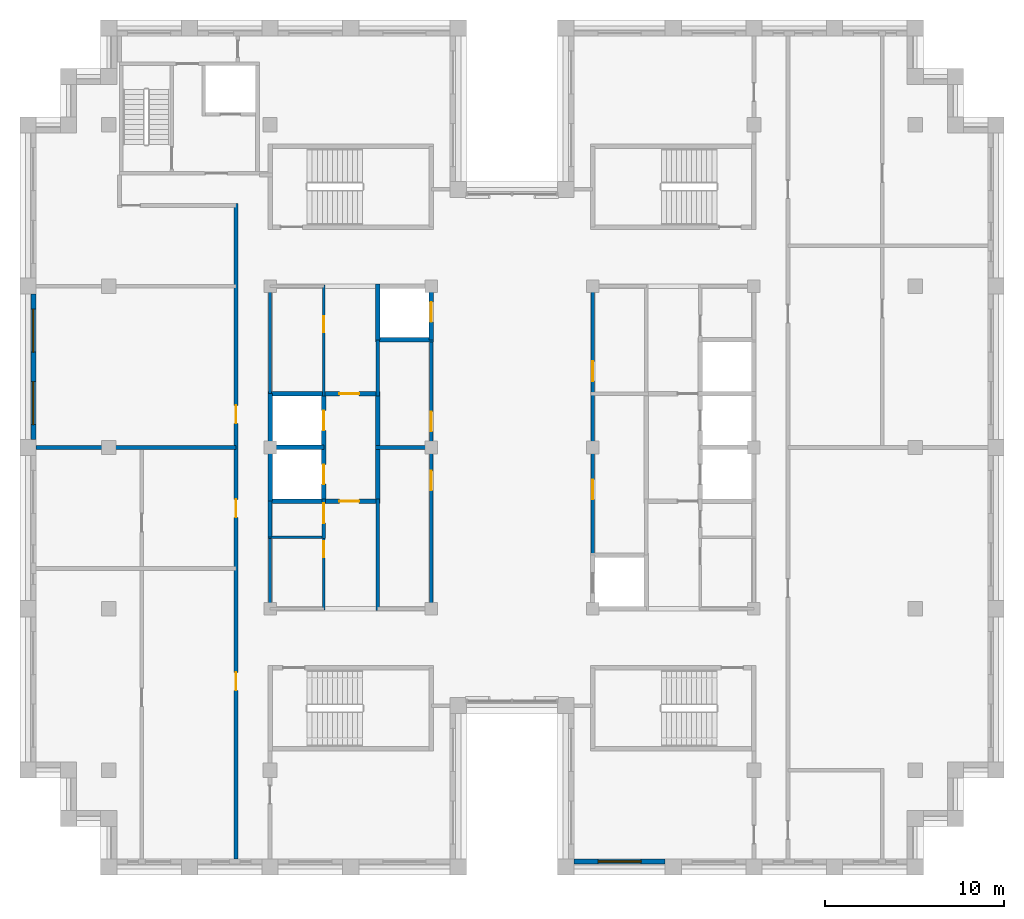
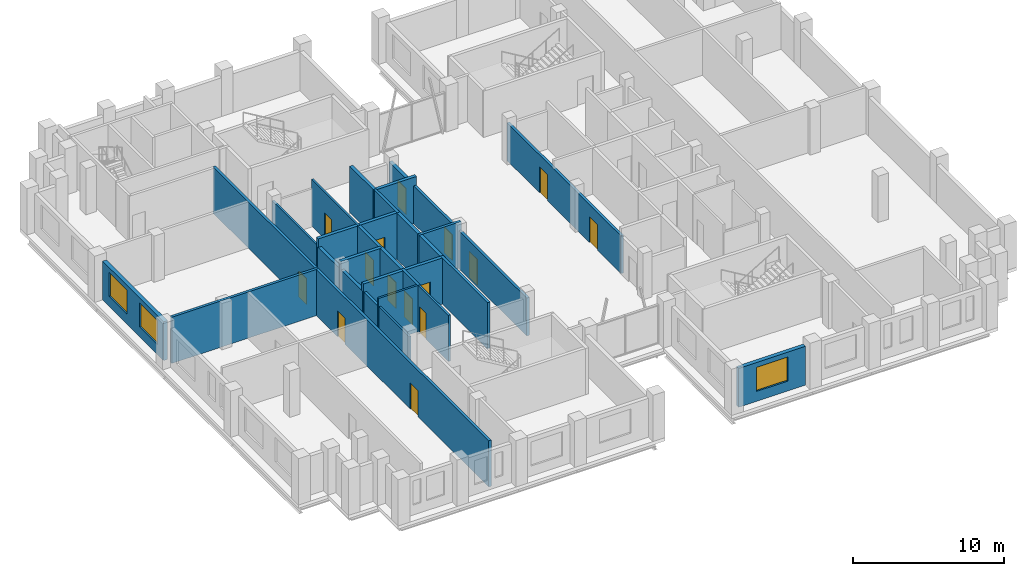
# One storey, part 7 of 13: 25 walls, 15 doors, 3 windows, 18 openings.
"""IFC4 building model written with IfcOpenShell, lengths in metres."""

from ifc_helpers import new_model, si_unit, direction, frame, frame_2d, origin, place, context, subcontext, project, spatial, rectangle, extrude, material, layer, layer_set, type_object, element, fill, save


model = new_model("IFC4")

# Units and contexts
model_context = context("Model", 3, precision=1e-05, world=origin(), true_north=direction((0.0, 1.0)))
body_context = subcontext(model_context, "Body", "Model", "MODEL_VIEW")
ifc_project = project(units=[si_unit("LENGTHUNIT", "METRE"), si_unit("AREAUNIT", "SQUARE_METRE"), si_unit("VOLUMEUNIT", "CUBIC_METRE"), si_unit("PLANEANGLEUNIT", "RADIAN"), si_unit("MASSUNIT", "GRAM", prefix="KILO")], contexts=[model_context])

# Site, building, storey
site_placement = place(None, origin())
site = spatial("IfcSite", under=ifc_project, at=site_placement, CompositionType="ELEMENT")
building_placement = place(site_placement, origin())
building = spatial("IfcBuilding", under=site, at=building_placement, Name="Corbelhall Arena Tower", CompositionType="ELEMENT")
storey_placement = place(building_placement, frame((0.0, 0.0, 312.0)))
storey = spatial("IfcBuildingStorey", under=building, at=storey_placement, Name="L68", CompositionType="ELEMENT", Elevation=312.0)

# Wall, openings, windows
ifc_material_1 = material(Name="Precast concrete C40/50 with granite facing", Category="masonry")
ifc_layer_1 = layer(ifc_material_1, 0.300048828125)
ifc_layer_set_1 = layer_set([ifc_layer_1], Name="EV-IW1 Infill panel 300")
wall_type_1 = type_object("IfcWallType", Name="EV-IW1 Infill panel 300", PredefinedType="SOLIDWALL", material=ifc_layer_set_1)
wall_1_placement = place(storey_placement, frame((-26.699951171875, 8.550048828125, 0.0), z_axis=(0.0, 0.0, 1.0), x_axis=(0.0, -1.0, 0.0)))
wall_1 = element("IfcWall", 1, at=wall_1_placement, inside=storey, type_object=wall_type_1, Name="Infill panel IW1", PredefinedType="SOLIDWALL", context=body_context, shape_type="SweptSolid", body=[
    extrude(rectangle(XDim=8.10009765625, YDim=0.300048828125, at=frame_2d((4.050048828125, 0.0))), origin(), (0.0, 0.0, 1.0), 3.139892578125),
])
opening_1_placement = place(wall_1_placement, frame((0.824951171875, 0.0, 0.800048828125)))
opening_1 = element("IfcOpeningElement", 2, at=opening_1_placement, cuts=wall_1, Name="Opening WN1", PredefinedType="OPENING", context=body_context, shape_type="SweptSolid", body=[
    extrude(rectangle(XDim=2.39990234375, YDim=1.949951171875, at=frame_2d((1.199951171875, 0.97509765625))), frame((0.0, 0.14990234375, 0.0), z_axis=(0.0, -1.0, 0.0), x_axis=(1.0, 0.0, 0.0)), (0.0, 0.0, 1.0), 0.300048828125),
])
opening_2_placement = place(wall_1_placement, frame((4.875, 0.0, 0.800048828125)))
opening_2 = element("IfcOpeningElement", 3, at=opening_2_placement, cuts=wall_1, Name="Opening WN1", PredefinedType="OPENING", context=body_context, shape_type="SweptSolid", body=[
    extrude(rectangle(XDim=2.39990234375, YDim=1.949951171875, at=frame_2d((1.199951171875, 0.97509765625))), frame((0.0, 0.14990234375, 0.0), z_axis=(0.0, -1.0, 0.0), x_axis=(1.0, 0.0, 0.0)), (0.0, 0.0, 1.0), 0.300048828125),
])
ifc_material_2 = material(Name="Aluminium black anodised", Category="aluminium")
window_type = type_object("IfcWindowType", Name="EV-WN1 Office window", PartitioningType="SINGLE_PANEL", PredefinedType="WINDOW", material=ifc_material_2)
window_1_placement = place(opening_1_placement, origin())
window_1 = element("IfcWindow", 4, at=window_1_placement, inside=storey, type_object=window_type, Name="Window WN1", OverallHeight=1.949951171875, OverallWidth=2.39990234375, PartitioningType="SINGLE_PANEL", PredefinedType="WINDOW", context=body_context, shape_type="SweptSolid", body=[
    extrude(rectangle(XDim=2.39990234375, YDim=1.949951171875, at=frame_2d((1.199951171875, 0.97509765625))), frame((0.0, 0.030029296875, 0.0), z_axis=(0.0, -1.0, 0.0), x_axis=(1.0, 0.0, 0.0)), (0.0, 0.0, 1.0), 0.06005859375),
])
fill(opening_1, window_1)
window_2_placement = place(opening_2_placement, origin())
window_2 = element("IfcWindow", 5, at=window_2_placement, inside=storey, type_object=window_type, Name="Window WN1", OverallHeight=1.949951171875, OverallWidth=2.39990234375, PartitioningType="SINGLE_PANEL", PredefinedType="WINDOW", context=body_context, shape_type="SweptSolid", body=[
    extrude(rectangle(XDim=2.39990234375, YDim=1.949951171875, at=frame_2d((1.199951171875, 0.97509765625))), frame((0.0, 0.030029296875, 0.0), z_axis=(0.0, -1.0, 0.0), x_axis=(1.0, 0.0, 0.0)), (0.0, 0.0, 1.0), 0.06005859375),
])
fill(opening_2, window_2)

# Wall, opening, window
wall_2_placement = place(storey_placement, frame((3.449951171875, -23.10009765625, 0.0), z_axis=(0.0, 0.0, 1.0), x_axis=(1.0, 0.0, 0.0)))
wall_2 = element("IfcWall", 6, at=wall_2_placement, inside=storey, type_object=wall_type_1, Name="Infill panel IW1", PredefinedType="SOLIDWALL", context=body_context, shape_type="SweptSolid", body=[
    extrude(rectangle(XDim=5.10009765625, YDim=0.300048828125, at=frame_2d((2.550048828125, 0.0))), origin(), (0.0, 0.0, 1.0), 3.139892578125),
])
opening_3_placement = place(wall_2_placement, frame((1.35009765625, 0.0, 0.800048828125)))
opening_3 = element("IfcOpeningElement", 7, at=opening_3_placement, cuts=wall_2, Name="Opening WN1", PredefinedType="OPENING", context=body_context, shape_type="SweptSolid", body=[
    extrude(rectangle(XDim=2.39990234375, YDim=1.949951171875, at=frame_2d((1.199951171875, 0.97509765625))), frame((0.0, 0.14990234375, 0.0), z_axis=(0.0, -1.0, 0.0), x_axis=(1.0, 0.0, 0.0)), (0.0, 0.0, 1.0), 0.300048828125),
])
window_3_placement = place(opening_3_placement, origin())
window_3 = element("IfcWindow", 8, at=window_3_placement, inside=storey, type_object=window_type, Name="Window WN1", OverallHeight=1.949951171875, OverallWidth=2.39990234375, PartitioningType="SINGLE_PANEL", PredefinedType="WINDOW", context=body_context, shape_type="SweptSolid", body=[
    extrude(rectangle(XDim=2.39990234375, YDim=1.949951171875, at=frame_2d((1.199951171875, 0.97509765625))), frame((0.0, 0.030029296875, 0.0), z_axis=(0.0, -1.0, 0.0), x_axis=(1.0, 0.0, 0.0)), (0.0, 0.0, 1.0), 0.06005859375),
])
fill(opening_3, window_3)

# Wall
ifc_material_3 = material(Name="Gypsum board on steel stud, acoustic", Category="steel")
ifc_layer_2 = layer(ifc_material_3, 0.199951171875)
ifc_layer_set_2 = layer_set([ifc_layer_2], Name="IN-W-DM200")
wall_type_2 = type_object("IfcWallType", Name="IN-W-DM200", PredefinedType="PARTITIONING", material=ifc_layer_set_2)
wall_3_placement = place(storey_placement, frame((-15.39990234375, 0.0, 0.0), z_axis=(0.0, 0.0, 1.0), x_axis=(-1.0, 0.0, 0.0)))
element("IfcWall", 9, at=wall_3_placement, inside=storey, type_object=wall_type_2, Name="Partition 006", PredefinedType="PARTITIONING", context=body_context, shape_type="SweptSolid", body=[
    extrude(rectangle(XDim=11.150146484375, YDim=0.199951171875, at=frame_2d((5.5751953125, 0.0))), origin(), (0.0, 0.0, 1.0), 3.739990234375),
])

# Wall, openings, doors
wall_4_placement = place(storey_placement, frame((-15.39990234375, -22.949951171875, 0.0), z_axis=(0.0, 0.0, 1.0), x_axis=(0.0, 1.0, 0.0)))
wall_4 = element("IfcWall", 10, at=wall_4_placement, inside=storey, type_object=wall_type_2, Name="Partition 007", PredefinedType="PARTITIONING", context=body_context, shape_type="SweptSolid", body=[
    extrude(rectangle(XDim=36.550048828125, YDim=0.199951171875, at=frame_2d((18.27490234375, 0.0))), origin(), (0.0, 0.0, 1.0), 3.739990234375),
])
opening_4_placement = place(wall_4_placement, frame((24.300048828125, 0.0, 0.0)))
opening_4 = element("IfcOpeningElement", 11, at=opening_4_placement, cuts=wall_4, Name="Opening 22021", PredefinedType="OPENING", context=body_context, shape_type="SweptSolid", body=[
    extrude(rectangle(XDim=1.0, YDim=2.10009765625, at=frame_2d((0.5, 1.050048828125))), frame((0.0, 0.10009765625, 0.0), z_axis=(0.0, -1.0, 0.0), x_axis=(1.0, 0.0, 0.0)), (0.0, 0.0, 1.0), 0.199951171875),
])
opening_5_placement = place(wall_4_placement, frame((9.39990234375, 0.0, 0.0)))
opening_5 = element("IfcOpeningElement", 12, at=opening_5_placement, cuts=wall_4, Name="Opening 22023", PredefinedType="OPENING", context=body_context, shape_type="SweptSolid", body=[
    extrude(rectangle(XDim=1.0, YDim=2.10009765625, at=frame_2d((0.5, 1.050048828125))), frame((0.0, 0.10009765625, 0.0), z_axis=(0.0, -1.0, 0.0), x_axis=(1.0, 0.0, 0.0)), (0.0, 0.0, 1.0), 0.199951171875),
])
opening_6_placement = place(wall_4_placement, frame((19.050048828125, 0.0, 0.0)))
opening_6 = element("IfcOpeningElement", 13, at=opening_6_placement, cuts=wall_4, Name="Opening 22025", PredefinedType="OPENING", context=body_context, shape_type="SweptSolid", body=[
    extrude(rectangle(XDim=1.0, YDim=2.10009765625, at=frame_2d((0.5, 1.050048828125))), frame((0.0, 0.10009765625, 0.0), z_axis=(0.0, -1.0, 0.0), x_axis=(1.0, 0.0, 0.0)), (0.0, 0.0, 1.0), 0.199951171875),
])
ifc_material_4 = material(Name="Steel door set", Category="steel")
door_type_1 = type_object("IfcDoorType", Name="IN-D-SW100", OperationType="NOTDEFINED", PredefinedType="DOOR", material=ifc_material_4)
door_1_placement = place(opening_4_placement, origin())
door_1 = element("IfcDoor", 14, at=door_1_placement, inside=storey, type_object=door_type_1, Name="Door 021", OperationType="SINGLE_SWING_RIGHT", OverallHeight=2.10009765625, OverallWidth=1.0, PredefinedType="DOOR", context=body_context, shape_type="SweptSolid", body=[
    extrude(rectangle(XDim=1.0, YDim=2.10009765625, at=frame_2d((0.5, 1.050048828125))), frame((0.0, 0.02490234375, 0.0), z_axis=(0.0, -1.0, 0.0), x_axis=(1.0, 0.0, 0.0)), (0.0, 0.0, 1.0), 0.050048828125),
])
fill(opening_4, door_1)
door_2_placement = place(opening_5_placement, origin())
door_2 = element("IfcDoor", 15, at=door_2_placement, inside=storey, type_object=door_type_1, Name="Door 023", OperationType="SINGLE_SWING_RIGHT", OverallHeight=2.10009765625, OverallWidth=1.0, PredefinedType="DOOR", context=body_context, shape_type="SweptSolid", body=[
    extrude(rectangle(XDim=1.0, YDim=2.10009765625, at=frame_2d((0.5, 1.050048828125))), frame((0.0, 0.02490234375, 0.0), z_axis=(0.0, -1.0, 0.0), x_axis=(1.0, 0.0, 0.0)), (0.0, 0.0, 1.0), 0.050048828125),
])
fill(opening_5, door_2)
door_3_placement = place(opening_6_placement, origin())
door_3 = element("IfcDoor", 16, at=door_3_placement, inside=storey, type_object=door_type_1, Name="Door 025", OperationType="SINGLE_SWING_RIGHT", OverallHeight=2.10009765625, OverallWidth=1.0, PredefinedType="DOOR", context=body_context, shape_type="SweptSolid", body=[
    extrude(rectangle(XDim=1.0, YDim=2.10009765625, at=frame_2d((0.5, 1.050048828125))), frame((0.0, 0.02490234375, 0.0), z_axis=(0.0, -1.0, 0.0), x_axis=(1.0, 0.0, 0.0)), (0.0, 0.0, 1.0), 0.050048828125),
])
fill(opening_6, door_3)

# Wall, opening, door
ifc_material_5 = material(Name="Concrete block wall", Category="concrete")
ifc_layer_3 = layer(ifc_material_5, 0.199951171875)
ifc_layer_set_3 = layer_set([ifc_layer_3], Name="IN-W-RS200")
wall_type_3 = type_object("IfcWallType", Name="IN-W-RS200", PredefinedType="SOLIDWALL", material=ifc_layer_set_3)
wall_5_placement = place(storey_placement, frame((-10.5, -5.074951171875, 0.0), z_axis=(0.0, 0.0, 1.0), x_axis=(0.0, 1.0, 0.0)))
wall_5 = element("IfcWall", 17, at=wall_5_placement, inside=storey, type_object=wall_type_3, Name="Partition 025", PredefinedType="SOLIDWALL", context=body_context, shape_type="SweptSolid", body=[
    extrude(rectangle(XDim=2.199951171875, YDim=0.199951171875, at=frame_2d((1.10009765625, 0.0))), origin(), (0.0, 0.0, 1.0), 3.739990234375),
])
opening_7_placement = place(wall_5_placement, frame((0.85009765625, 0.0, 0.0)))
opening_7 = element("IfcOpeningElement", 18, at=opening_7_placement, cuts=wall_5, Name="Opening 22006", PredefinedType="OPENING", context=body_context, shape_type="SweptSolid", body=[
    extrude(rectangle(XDim=1.10009765625, YDim=2.10009765625, at=frame_2d((0.550048828125, 1.050048828125))), frame((0.0, 0.10009765625, 0.0), z_axis=(0.0, -1.0, 0.0), x_axis=(1.0, 0.0, 0.0)), (0.0, 0.0, 1.0), 0.199951171875),
])
door_type_2 = type_object("IfcDoorType", Name="IN-D-FD110", OperationType="NOTDEFINED", PredefinedType="DOOR", material=ifc_material_4)
door_4_placement = place(opening_7_placement, origin())
door_4 = element("IfcDoor", 19, at=door_4_placement, inside=storey, type_object=door_type_2, Name="Door 006", OperationType="SINGLE_SWING_LEFT", OverallHeight=2.10009765625, OverallWidth=1.10009765625, PredefinedType="DOOR", context=body_context, shape_type="SweptSolid", body=[
    extrude(rectangle(XDim=1.10009765625, YDim=2.10009765625, at=frame_2d((0.550048828125, 1.050048828125))), frame((0.0, 0.02490234375, 0.0), z_axis=(0.0, -1.0, 0.0), x_axis=(1.0, 0.0, 0.0)), (0.0, 0.0, 1.0), 0.050048828125),
])
fill(opening_7, door_4)

# Walls
wall_6_placement = place(storey_placement, frame((-7.625, 0.0, 0.0), z_axis=(0.0, 0.0, 1.0), x_axis=(1.0, 0.0, 0.0)))
element("IfcWall", 20, at=wall_6_placement, inside=storey, type_object=wall_type_3, Name="Partition 026", PredefinedType="SOLIDWALL", context=body_context, shape_type="SweptSolid", body=[
    extrude(rectangle(XDim=3.22509765625, YDim=0.199951171875, at=frame_2d((1.612548828125, 0.0))), origin(), (0.0, 0.0, 1.0), 3.739990234375),
])
wall_7_placement = place(storey_placement, frame((-7.5, -9.10009765625, 0.0), z_axis=(0.0, 0.0, 1.0), x_axis=(0.0, 1.0, 0.0)))
element("IfcWall", 21, at=wall_7_placement, inside=storey, type_object=wall_type_3, Name="Partition 027", PredefinedType="SOLIDWALL", context=body_context, shape_type="SweptSolid", body=[
    extrude(rectangle(XDim=6.22509765625, YDim=0.199951171875, at=frame_2d((3.112548828125, 0.0))), origin(), (0.0, 0.0, 1.0), 3.739990234375),
])
wall_8_placement = place(storey_placement, frame((-7.5, 2.875, 0.0), z_axis=(0.0, 0.0, 1.0), x_axis=(0.0, 1.0, 0.0)))
element("IfcWall", 22, at=wall_8_placement, inside=storey, type_object=wall_type_3, Name="Partition 028", PredefinedType="SOLIDWALL", context=body_context, shape_type="SweptSolid", body=[
    extrude(rectangle(XDim=3.125, YDim=0.199951171875, at=frame_2d((1.5625, 0.0))), origin(), (0.0, 0.0, 1.0), 3.739990234375),
])
ifc_layer_4 = layer(ifc_material_5, 0.199951171875)
ifc_layer_set_4 = layer_set([ifc_layer_4], Name="IN-W-RS200 under beam 678 mm")
wall_type_4 = type_object("IfcWallType", Name="IN-W-RS200 under beam 678 mm", PredefinedType="SOLIDWALL", material=ifc_layer_set_4)
wall_9_placement = place(storey_placement, frame((-13.5, -5.0, 0.0), z_axis=(0.0, 0.0, 1.0), x_axis=(0.0, 1.0, 0.0)))
element("IfcWall", 23, at=wall_9_placement, inside=storey, type_object=wall_type_4, Name="Partition 024", PredefinedType="SOLIDWALL", context=body_context, shape_type="SweptSolid", body=[
    extrude(rectangle(XDim=2.0, YDim=0.199951171875, at=frame_2d((1.0, 0.0))), origin(), (0.0, 0.0, 1.0), 3.061767578125),
])

# Wall, openings, doors
wall_10_placement = place(storey_placement, frame((-4.5, 6.0, 0.0), z_axis=(0.0, 0.0, 1.0), x_axis=(0.0, -1.0, 0.0)))
wall_10 = element("IfcWall", 24, at=wall_10_placement, inside=storey, type_object=wall_type_4, Name="Partition 030", PredefinedType="SOLIDWALL", context=body_context, shape_type="SweptSolid", body=[
    extrude(rectangle(XDim=15.10009765625, YDim=0.199951171875, at=frame_2d((7.550048828125, 0.0))), origin(), (0.0, 0.0, 1.0), 3.061767578125),
])
opening_8_placement = place(wall_10_placement, frame((7.300048828125, 0.0, 0.0)))
opening_8 = element("IfcOpeningElement", 25, at=opening_8_placement, cuts=wall_10, Name="Opening 22001", PredefinedType="OPENING", context=body_context, shape_type="SweptSolid", body=[
    extrude(rectangle(XDim=1.10009765625, YDim=2.10009765625, at=frame_2d((0.550048828125, 1.050048828125))), frame((0.0, 0.10009765625, 0.0), z_axis=(0.0, -1.0, 0.0), x_axis=(1.0, 0.0, 0.0)), (0.0, 0.0, 1.0), 0.199951171875),
])
opening_9_placement = place(wall_10_placement, frame((4.0, 0.0, 0.0)))
opening_9 = element("IfcOpeningElement", 26, at=opening_9_placement, cuts=wall_10, Name="Opening 22002", PredefinedType="OPENING", context=body_context, shape_type="SweptSolid", body=[
    extrude(rectangle(XDim=1.10009765625, YDim=2.10009765625, at=frame_2d((0.550048828125, 1.050048828125))), frame((0.0, 0.10009765625, 0.0), z_axis=(0.0, -1.0, 0.0), x_axis=(1.0, 0.0, 0.0)), (0.0, 0.0, 1.0), 0.199951171875),
])
door_5_placement = place(opening_8_placement, origin())
door_5 = element("IfcDoor", 27, at=door_5_placement, inside=storey, type_object=door_type_2, Name="Door 001", OperationType="SINGLE_SWING_RIGHT", OverallHeight=2.10009765625, OverallWidth=1.10009765625, PredefinedType="DOOR", context=body_context, shape_type="SweptSolid", body=[
    extrude(rectangle(XDim=1.10009765625, YDim=2.10009765625, at=frame_2d((0.550048828125, 1.050048828125))), frame((0.0, 0.02490234375, 0.0), z_axis=(0.0, -1.0, 0.0), x_axis=(1.0, 0.0, 0.0)), (0.0, 0.0, 1.0), 0.050048828125),
])
fill(opening_8, door_5)
door_6_placement = place(opening_9_placement, origin())
door_6 = element("IfcDoor", 28, at=door_6_placement, inside=storey, type_object=door_type_2, Name="Door 002", OperationType="SINGLE_SWING_LEFT", OverallHeight=2.10009765625, OverallWidth=1.10009765625, PredefinedType="DOOR", context=body_context, shape_type="SweptSolid", body=[
    extrude(rectangle(XDim=1.10009765625, YDim=2.10009765625, at=frame_2d((0.550048828125, 1.050048828125))), frame((0.0, 0.02490234375, 0.0), z_axis=(0.0, -1.0, 0.0), x_axis=(1.0, 0.0, 0.0)), (0.0, 0.0, 1.0), 0.050048828125),
])
fill(opening_9, door_6)

wall_11_placement = place(storey_placement, frame((4.5, -6.0, 0.0), z_axis=(0.0, 0.0, 1.0), x_axis=(0.0, 1.0, 0.0)))
wall_11 = element("IfcWall", 29, at=wall_11_placement, inside=storey, type_object=wall_type_4, Name="Partition 032", PredefinedType="SOLIDWALL", context=body_context, shape_type="SweptSolid", body=[
    extrude(rectangle(XDim=15.10009765625, YDim=0.199951171875, at=frame_2d((7.550048828125, 0.0))), origin(), (0.0, 0.0, 1.0), 3.061767578125),
])
opening_10_placement = place(wall_11_placement, frame((3.10009765625, 0.0, 0.0)))
opening_10 = element("IfcOpeningElement", 30, at=opening_10_placement, cuts=wall_11, Name="Opening 22008", PredefinedType="OPENING", context=body_context, shape_type="SweptSolid", body=[
    extrude(rectangle(XDim=1.10009765625, YDim=2.10009765625, at=frame_2d((0.550048828125, 1.050048828125))), frame((0.0, 0.10009765625, 0.0), z_axis=(0.0, -1.0, 0.0), x_axis=(1.0, 0.0, 0.0)), (0.0, 0.0, 1.0), 0.199951171875),
])
opening_11_placement = place(wall_11_placement, frame((9.699951171875, 0.0, 0.0)))
opening_11 = element("IfcOpeningElement", 31, at=opening_11_placement, cuts=wall_11, Name="Opening 22009", PredefinedType="OPENING", context=body_context, shape_type="SweptSolid", body=[
    extrude(rectangle(XDim=1.10009765625, YDim=2.10009765625, at=frame_2d((0.550048828125, 1.050048828125))), frame((0.0, 0.10009765625, 0.0), z_axis=(0.0, -1.0, 0.0), x_axis=(1.0, 0.0, 0.0)), (0.0, 0.0, 1.0), 0.199951171875),
])
door_7_placement = place(opening_10_placement, origin())
door_7 = element("IfcDoor", 32, at=door_7_placement, inside=storey, type_object=door_type_2, Name="Door 008", OperationType="SINGLE_SWING_LEFT", OverallHeight=2.10009765625, OverallWidth=1.10009765625, PredefinedType="DOOR", context=body_context, shape_type="SweptSolid", body=[
    extrude(rectangle(XDim=1.10009765625, YDim=2.10009765625, at=frame_2d((0.550048828125, 1.050048828125))), frame((0.0, 0.02490234375, 0.0), z_axis=(0.0, -1.0, 0.0), x_axis=(1.0, 0.0, 0.0)), (0.0, 0.0, 1.0), 0.050048828125),
])
fill(opening_10, door_7)
door_8_placement = place(opening_11_placement, origin())
door_8 = element("IfcDoor", 33, at=door_8_placement, inside=storey, type_object=door_type_2, Name="Door 009", OperationType="SINGLE_SWING_RIGHT", OverallHeight=2.10009765625, OverallWidth=1.10009765625, PredefinedType="DOOR", context=body_context, shape_type="SweptSolid", body=[
    extrude(rectangle(XDim=1.10009765625, YDim=2.10009765625, at=frame_2d((0.550048828125, 1.050048828125))), frame((0.0, 0.02490234375, 0.0), z_axis=(0.0, -1.0, 0.0), x_axis=(1.0, 0.0, 0.0)), (0.0, 0.0, 1.0), 0.050048828125),
])
fill(opening_11, door_8)

# Wall
ifc_material_6 = material(Name="Concrete C40/50", Category="concrete")
ifc_layer_5 = layer(ifc_material_6, 0.25)
ifc_layer_set_5 = layer_set([ifc_layer_5], Name="IN-W-SH250")
wall_type_5 = type_object("IfcWallType", Name="IN-W-SH250", PredefinedType="SOLIDWALL", material=ifc_layer_set_5)
wall_12_placement = place(storey_placement, frame((-13.625, 0.0, 0.0), z_axis=(0.0, 0.0, 1.0), x_axis=(1.0, 0.0, 0.0)))
element("IfcWall", 34, at=wall_12_placement, inside=storey, type_object=wall_type_5, Name="Shaft wall 041", PredefinedType="SOLIDWALL", context=body_context, shape_type="SweptSolid", body=[
    extrude(rectangle(XDim=3.125, YDim=0.25, at=frame_2d((1.5625, 0.0))), origin(), (0.0, 0.0, 1.0), 3.739990234375),
])

# Wall, opening, door
wall_13_placement = place(storey_placement, frame((-13.625, 3.0, 0.0), z_axis=(0.0, 0.0, 1.0), x_axis=(1.0, 0.0, 0.0)))
wall_13 = element("IfcWall", 35, at=wall_13_placement, inside=storey, type_object=wall_type_5, Name="Shaft wall 042", PredefinedType="SOLIDWALL", context=body_context, shape_type="SweptSolid", body=[
    extrude(rectangle(XDim=6.125, YDim=0.25, at=frame_2d((3.0625, 0.0))), origin(), (0.0, 0.0, 1.0), 3.739990234375),
])
opening_12_placement = place(wall_13_placement, frame((4.0, 0.0, 0.0)))
opening_12 = element("IfcOpeningElement", 36, at=opening_12_placement, cuts=wall_13, Name="Opening 22004", PredefinedType="OPENING", context=body_context, shape_type="SweptSolid", body=[
    extrude(rectangle(XDim=1.10009765625, YDim=2.10009765625, at=frame_2d((0.550048828125, 1.050048828125))), frame((0.0, 0.125, 0.0), z_axis=(0.0, -1.0, 0.0), x_axis=(1.0, 0.0, 0.0)), (0.0, 0.0, 1.0), 0.25),
])
door_9_placement = place(opening_12_placement, origin())
door_9 = element("IfcDoor", 37, at=door_9_placement, inside=storey, type_object=door_type_2, Name="Door 004", OperationType="SINGLE_SWING_LEFT", OverallHeight=2.10009765625, OverallWidth=1.10009765625, PredefinedType="DOOR", context=body_context, shape_type="SweptSolid", body=[
    extrude(rectangle(XDim=1.10009765625, YDim=2.10009765625, at=frame_2d((0.550048828125, 1.050048828125))), frame((0.0, 0.02490234375, 0.0), z_axis=(0.0, -1.0, 0.0), x_axis=(1.0, 0.0, 0.0)), (0.0, 0.0, 1.0), 0.050048828125),
])
fill(opening_12, door_9)

wall_14_placement = place(storey_placement, frame((-13.625, -3.0, 0.0), z_axis=(0.0, 0.0, 1.0), x_axis=(1.0, 0.0, 0.0)))
wall_14 = element("IfcWall", 38, at=wall_14_placement, inside=storey, type_object=wall_type_5, Name="Shaft wall 044", PredefinedType="SOLIDWALL", context=body_context, shape_type="SweptSolid", body=[
    extrude(rectangle(XDim=6.125, YDim=0.25, at=frame_2d((3.0625, 0.0))), origin(), (0.0, 0.0, 1.0), 3.739990234375),
])
opening_13_placement = place(wall_14_placement, frame((4.0, 0.0, 0.0)))
opening_13 = element("IfcOpeningElement", 39, at=opening_13_placement, cuts=wall_14, Name="Opening 22003", PredefinedType="OPENING", context=body_context, shape_type="SweptSolid", body=[
    extrude(rectangle(XDim=1.10009765625, YDim=2.10009765625, at=frame_2d((0.550048828125, 1.050048828125))), frame((0.0, 0.125, 0.0), z_axis=(0.0, -1.0, 0.0), x_axis=(1.0, 0.0, 0.0)), (0.0, 0.0, 1.0), 0.25),
])
door_10_placement = place(opening_13_placement, origin())
door_10 = element("IfcDoor", 40, at=door_10_placement, inside=storey, type_object=door_type_2, Name="Door 003", OperationType="SINGLE_SWING_RIGHT", OverallHeight=2.10009765625, OverallWidth=1.10009765625, PredefinedType="DOOR", context=body_context, shape_type="SweptSolid", body=[
    extrude(rectangle(XDim=1.10009765625, YDim=2.10009765625, at=frame_2d((0.550048828125, 1.050048828125))), frame((0.0, 0.02490234375, 0.0), z_axis=(0.0, -1.0, 0.0), x_axis=(1.0, 0.0, 0.0)), (0.0, 0.0, 1.0), 0.050048828125),
])
fill(opening_13, door_10)

# Wall, openings, doors
wall_15_placement = place(storey_placement, frame((-10.5, -3.125, 0.0), z_axis=(0.0, 0.0, 1.0), x_axis=(0.0, 1.0, 0.0)))
wall_15 = element("IfcWall", 41, at=wall_15_placement, inside=storey, type_object=wall_type_5, Name="Shaft wall 045", PredefinedType="SOLIDWALL", context=body_context, shape_type="SweptSolid", body=[
    extrude(rectangle(XDim=6.25, YDim=0.25, at=frame_2d((3.125, 0.0))), origin(), (0.0, 0.0, 1.0), 3.739990234375),
])
opening_14_placement = place(wall_15_placement, frame((1.074951171875, 0.0, 0.0)))
opening_14 = element("IfcOpeningElement", 42, at=opening_14_placement, cuts=wall_15, Name="Opening LD", PredefinedType="OPENING", context=body_context, shape_type="SweptSolid", body=[
    extrude(rectangle(XDim=1.10009765625, YDim=2.10009765625, at=frame_2d((0.550048828125, 1.050048828125))), frame((0.0, 0.125, 0.0), z_axis=(0.0, -1.0, 0.0), x_axis=(1.0, 0.0, 0.0)), (0.0, 0.0, 1.0), 0.25),
])
opening_15_placement = place(wall_15_placement, frame((4.074951171875, 0.0, 0.0)))
opening_15 = element("IfcOpeningElement", 43, at=opening_15_placement, cuts=wall_15, Name="Opening LD", PredefinedType="OPENING", context=body_context, shape_type="SweptSolid", body=[
    extrude(rectangle(XDim=1.10009765625, YDim=2.10009765625, at=frame_2d((0.550048828125, 1.050048828125))), frame((0.0, 0.125, 0.0), z_axis=(0.0, -1.0, 0.0), x_axis=(1.0, 0.0, 0.0)), (0.0, 0.0, 1.0), 0.25),
])
door_type_3 = type_object("IfcDoorType", Name="IN-D-LD110", OperationType="NOTDEFINED", PredefinedType="DOOR", material=ifc_material_4)
door_11_placement = place(opening_14_placement, origin())
door_11 = element("IfcDoor", 44, at=door_11_placement, inside=storey, type_object=door_type_3, Name="Landing door W3", OperationType="SLIDING_TO_LEFT", OverallHeight=2.10009765625, OverallWidth=1.10009765625, PredefinedType="DOOR", context=body_context, shape_type="SweptSolid", body=[
    extrude(rectangle(XDim=1.10009765625, YDim=2.10009765625, at=frame_2d((0.550048828125, 1.050048828125))), frame((0.0, 0.02490234375, 0.0), z_axis=(0.0, -1.0, 0.0), x_axis=(1.0, 0.0, 0.0)), (0.0, 0.0, 1.0), 0.050048828125),
])
fill(opening_14, door_11)
door_12_placement = place(opening_15_placement, origin())
door_12 = element("IfcDoor", 45, at=door_12_placement, inside=storey, type_object=door_type_3, Name="Landing door W4", OperationType="SLIDING_TO_LEFT", OverallHeight=2.10009765625, OverallWidth=1.10009765625, PredefinedType="DOOR", context=body_context, shape_type="SweptSolid", body=[
    extrude(rectangle(XDim=1.10009765625, YDim=2.10009765625, at=frame_2d((0.550048828125, 1.050048828125))), frame((0.0, 0.02490234375, 0.0), z_axis=(0.0, -1.0, 0.0), x_axis=(1.0, 0.0, 0.0)), (0.0, 0.0, 1.0), 0.050048828125),
])
fill(opening_15, door_12)

# Walls
wall_16_placement = place(storey_placement, frame((-7.625, 6.0, 0.0), z_axis=(0.0, 0.0, 1.0), x_axis=(1.0, 0.0, 0.0)))
element("IfcWall", 46, at=wall_16_placement, inside=storey, type_object=wall_type_5, Name="Shaft wall 046", PredefinedType="SOLIDWALL", context=body_context, shape_type="SweptSolid", body=[
    extrude(rectangle(XDim=3.25, YDim=0.25, at=frame_2d((1.625, 0.0))), origin(), (0.0, 0.0, 1.0), 3.739990234375),
])
wall_17_placement = place(storey_placement, frame((-7.5, -3.125, 0.0), z_axis=(0.0, 0.0, 1.0), x_axis=(0.0, 1.0, 0.0)))
element("IfcWall", 47, at=wall_17_placement, inside=storey, type_object=wall_type_5, Name="Shaft wall 047", PredefinedType="SOLIDWALL", context=body_context, shape_type="SweptSolid", body=[
    extrude(rectangle(XDim=6.25, YDim=0.25, at=frame_2d((3.125, 0.0))), origin(), (0.0, 0.0, 1.0), 3.739990234375),
])
wall_18_placement = place(storey_placement, frame((-7.5, 6.0, 0.0), z_axis=(0.0, 0.0, 1.0), x_axis=(0.0, 1.0, 0.0)))
element("IfcWall", 48, at=wall_18_placement, inside=storey, type_object=wall_type_5, Name="Shaft wall 048", PredefinedType="SOLIDWALL", context=body_context, shape_type="SweptSolid", body=[
    extrude(rectangle(XDim=3.125, YDim=0.25, at=frame_2d((1.5625, 0.0))), origin(), (0.0, 0.0, 1.0), 3.739990234375),
])
ifc_layer_6 = layer(ifc_material_6, 0.25)
ifc_layer_set_6 = layer_set([ifc_layer_6], Name="IN-W-SH250 under beam 678 mm")
wall_type_6 = type_object("IfcWallType", Name="IN-W-SH250 under beam 678 mm", PredefinedType="SOLIDWALL", material=ifc_layer_set_6)
wall_19_placement = place(storey_placement, frame((-13.5, -3.0, 0.0), z_axis=(0.0, 0.0, 1.0), x_axis=(0.0, 1.0, 0.0)))
element("IfcWall", 49, at=wall_19_placement, inside=storey, type_object=wall_type_6, Name="Shaft wall 043", PredefinedType="SOLIDWALL", context=body_context, shape_type="SweptSolid", body=[
    extrude(rectangle(XDim=6.0, YDim=0.25, at=frame_2d((3.0, 0.0))), origin(), (0.0, 0.0, 1.0), 3.061767578125),
])

# Wall, opening, door
wall_20_placement = place(storey_placement, frame((-4.5, 9.125, 0.0), z_axis=(0.0, 0.0, 1.0), x_axis=(0.0, -1.0, 0.0)))
wall_20 = element("IfcWall", 50, at=wall_20_placement, inside=storey, type_object=wall_type_6, Name="Shaft wall 050", PredefinedType="SOLIDWALL", context=body_context, shape_type="SweptSolid", body=[
    extrude(rectangle(XDim=3.125, YDim=0.25, at=frame_2d((1.5625, 0.0))), origin(), (0.0, 0.0, 1.0), 3.061767578125),
])
opening_16_placement = place(wall_20_placement, frame((1.012451171875, 0.0, 0.0)))
opening_16 = element("IfcOpeningElement", 51, at=opening_16_placement, cuts=wall_20, Name="Opening LD", PredefinedType="OPENING", context=body_context, shape_type="SweptSolid", body=[
    extrude(rectangle(XDim=1.10009765625, YDim=2.10009765625, at=frame_2d((0.550048828125, 1.050048828125))), frame((0.0, 0.125, 0.0), z_axis=(0.0, -1.0, 0.0), x_axis=(1.0, 0.0, 0.0)), (0.0, 0.0, 1.0), 0.25),
])
door_13_placement = place(opening_16_placement, origin())
door_13 = element("IfcDoor", 52, at=door_13_placement, inside=storey, type_object=door_type_3, Name="Landing door W6", OperationType="SLIDING_TO_LEFT", OverallHeight=2.10009765625, OverallWidth=1.10009765625, PredefinedType="DOOR", context=body_context, shape_type="SweptSolid", body=[
    extrude(rectangle(XDim=1.10009765625, YDim=2.10009765625, at=frame_2d((0.550048828125, 1.050048828125))), frame((0.0, 0.02490234375, 0.0), z_axis=(0.0, -1.0, 0.0), x_axis=(1.0, 0.0, 0.0)), (0.0, 0.0, 1.0), 0.050048828125),
])
fill(opening_16, door_13)

# Wall
ifc_material_7 = material(Name="Gypsum board on steel stud, moisture resistant", Category="steel")
ifc_layer_7 = layer(ifc_material_7, 0.14990234375)
ifc_layer_set_7 = layer_set([ifc_layer_7], Name="IN-W-WC150")
wall_type_7 = type_object("IfcWallType", Name="IN-W-WC150", PredefinedType="PARTITIONING", material=ifc_layer_set_7)
wall_21_placement = place(storey_placement, frame((-13.60009765625, -5.0, 0.0), z_axis=(0.0, 0.0, 1.0), x_axis=(1.0, 0.0, 0.0)))
element("IfcWall", 53, at=wall_21_placement, inside=storey, type_object=wall_type_7, Name="Partition 078", PredefinedType="PARTITIONING", context=body_context, shape_type="SweptSolid", body=[
    extrude(rectangle(XDim=3.10009765625, YDim=0.14990234375, at=frame_2d((1.550048828125, 0.0))), origin(), (0.0, 0.0, 1.0), 3.739990234375),
])

# Wall, opening, door
wall_22_placement = place(storey_placement, frame((-10.5, -9.074951171875, 0.0), z_axis=(0.0, 0.0, 1.0), x_axis=(0.0, 1.0, 0.0)))
wall_22 = element("IfcWall", 54, at=wall_22_placement, inside=storey, type_object=wall_type_7, Name="Partition 082", PredefinedType="PARTITIONING", context=body_context, shape_type="SweptSolid", body=[
    extrude(rectangle(XDim=4.14990234375, YDim=0.14990234375, at=frame_2d((2.074951171875, 0.0))), origin(), (0.0, 0.0, 1.0), 3.739990234375),
])
opening_17_placement = place(wall_22_placement, frame((2.949951171875, 0.0, 0.0)))
opening_17 = element("IfcOpeningElement", 55, at=opening_17_placement, cuts=wall_22, Name="Opening 22005", PredefinedType="OPENING", context=body_context, shape_type="SweptSolid", body=[
    extrude(rectangle(XDim=0.89990234375, YDim=2.10009765625, at=frame_2d((0.449951171875, 1.050048828125))), frame((0.0, 0.074951171875, 0.0), z_axis=(0.0, -1.0, 0.0), x_axis=(1.0, 0.0, 0.0)), (0.0, 0.0, 1.0), 0.14990234375),
])
ifc_material_8 = material(Name="Timber door set", Category="wood")
door_type_4 = type_object("IfcDoorType", Name="IN-D-SW90", OperationType="NOTDEFINED", PredefinedType="DOOR", material=ifc_material_8)
door_14_placement = place(opening_17_placement, origin())
door_14 = element("IfcDoor", 56, at=door_14_placement, inside=storey, type_object=door_type_4, Name="Door 005", OperationType="SINGLE_SWING_RIGHT", OverallHeight=2.10009765625, OverallWidth=0.89990234375, PredefinedType="DOOR", context=body_context, shape_type="SweptSolid", body=[
    extrude(rectangle(XDim=0.89990234375, YDim=2.10009765625, at=frame_2d((0.449951171875, 1.050048828125))), frame((0.0, 0.02490234375, 0.0), z_axis=(0.0, -1.0, 0.0), x_axis=(1.0, 0.0, 0.0)), (0.0, 0.0, 1.0), 0.050048828125),
])
fill(opening_17, door_14)

wall_23_placement = place(storey_placement, frame((-10.5, 2.875, 0.0), z_axis=(0.0, 0.0, 1.0), x_axis=(0.0, 1.0, 0.0)))
wall_23 = element("IfcWall", 57, at=wall_23_placement, inside=storey, type_object=wall_type_7, Name="Partition 084", PredefinedType="PARTITIONING", context=body_context, shape_type="SweptSolid", body=[
    extrude(rectangle(XDim=6.199951171875, YDim=0.14990234375, at=frame_2d((3.10009765625, 0.0))), origin(), (0.0, 0.0, 1.0), 3.739990234375),
])
opening_18_placement = place(wall_23_placement, frame((3.550048828125, 0.0, 0.0)))
opening_18 = element("IfcOpeningElement", 58, at=opening_18_placement, cuts=wall_23, Name="Opening 22007", PredefinedType="OPENING", context=body_context, shape_type="SweptSolid", body=[
    extrude(rectangle(XDim=0.89990234375, YDim=2.10009765625, at=frame_2d((0.449951171875, 1.050048828125))), frame((0.0, 0.074951171875, 0.0), z_axis=(0.0, -1.0, 0.0), x_axis=(1.0, 0.0, 0.0)), (0.0, 0.0, 1.0), 0.14990234375),
])
door_15_placement = place(opening_18_placement, origin())
door_15 = element("IfcDoor", 59, at=door_15_placement, inside=storey, type_object=door_type_4, Name="Door 007", OperationType="SINGLE_SWING_RIGHT", OverallHeight=2.10009765625, OverallWidth=0.89990234375, PredefinedType="DOOR", context=body_context, shape_type="SweptSolid", body=[
    extrude(rectangle(XDim=0.89990234375, YDim=2.10009765625, at=frame_2d((0.449951171875, 1.050048828125))), frame((0.0, 0.02490234375, 0.0), z_axis=(0.0, -1.0, 0.0), x_axis=(1.0, 0.0, 0.0)), (0.0, 0.0, 1.0), 0.050048828125),
])
fill(opening_18, door_15)

# Walls
ifc_layer_8 = layer(ifc_material_7, 0.14990234375)
ifc_layer_set_8 = layer_set([ifc_layer_8], Name="IN-W-WC150 under beam 678 mm")
wall_type_8 = type_object("IfcWallType", Name="IN-W-WC150 under beam 678 mm", PredefinedType="PARTITIONING", material=ifc_layer_set_8)
wall_24_placement = place(storey_placement, frame((-13.5, -9.074951171875, 0.0), z_axis=(0.0, 0.0, 1.0), x_axis=(0.0, 1.0, 0.0)))
element("IfcWall", 60, at=wall_24_placement, inside=storey, type_object=wall_type_8, Name="Partition 079", PredefinedType="PARTITIONING", context=body_context, shape_type="SweptSolid", body=[
    extrude(rectangle(XDim=4.074951171875, YDim=0.14990234375, at=frame_2d((2.03759765625, 0.0))), origin(), (0.0, 0.0, 1.0), 3.061767578125),
])
wall_25_placement = place(storey_placement, frame((-13.5, 3.0, 0.0), z_axis=(0.0, 0.0, 1.0), x_axis=(0.0, 1.0, 0.0)))
element("IfcWall", 61, at=wall_25_placement, inside=storey, type_object=wall_type_8, Name="Partition 080", PredefinedType="PARTITIONING", context=body_context, shape_type="SweptSolid", body=[
    extrude(rectangle(XDim=6.074951171875, YDim=0.14990234375, at=frame_2d((3.03759765625, 0.0))), origin(), (0.0, 0.0, 1.0), 3.061767578125),
])

save(model, "model.ifc")
